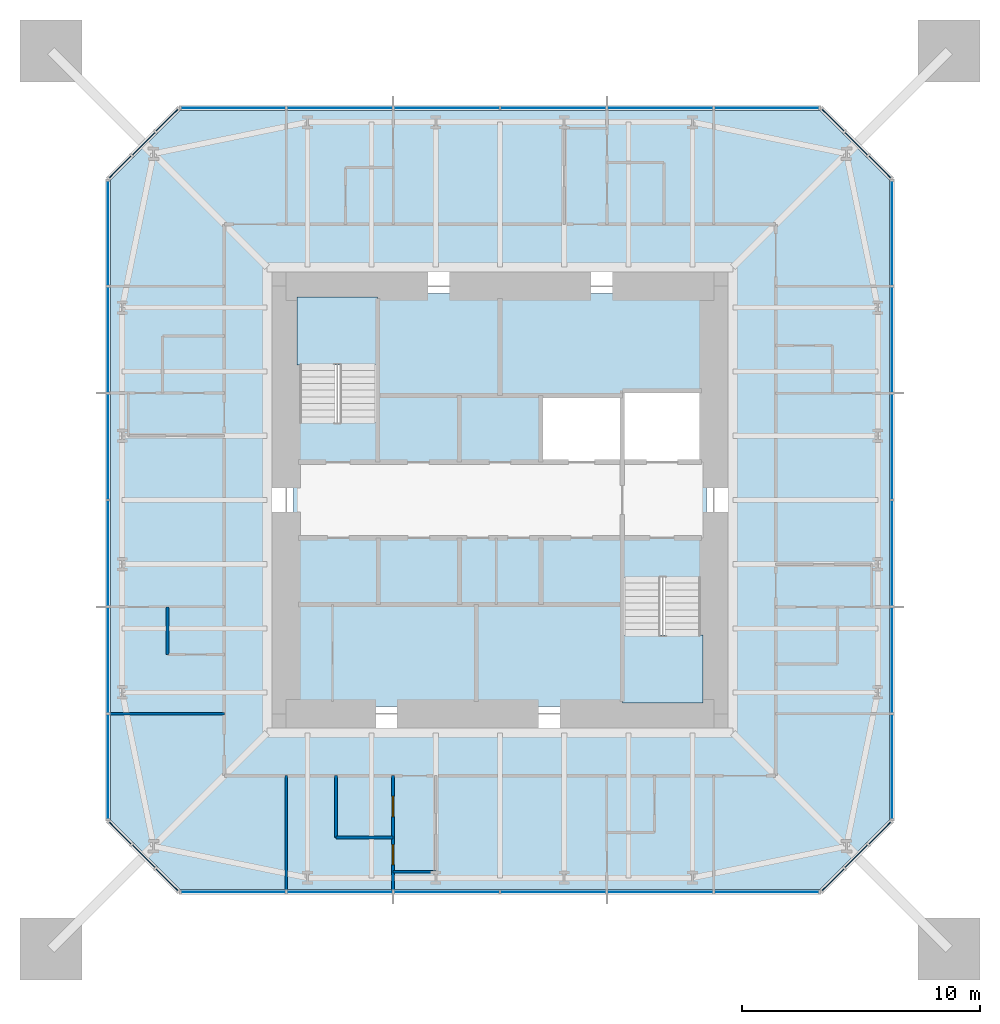
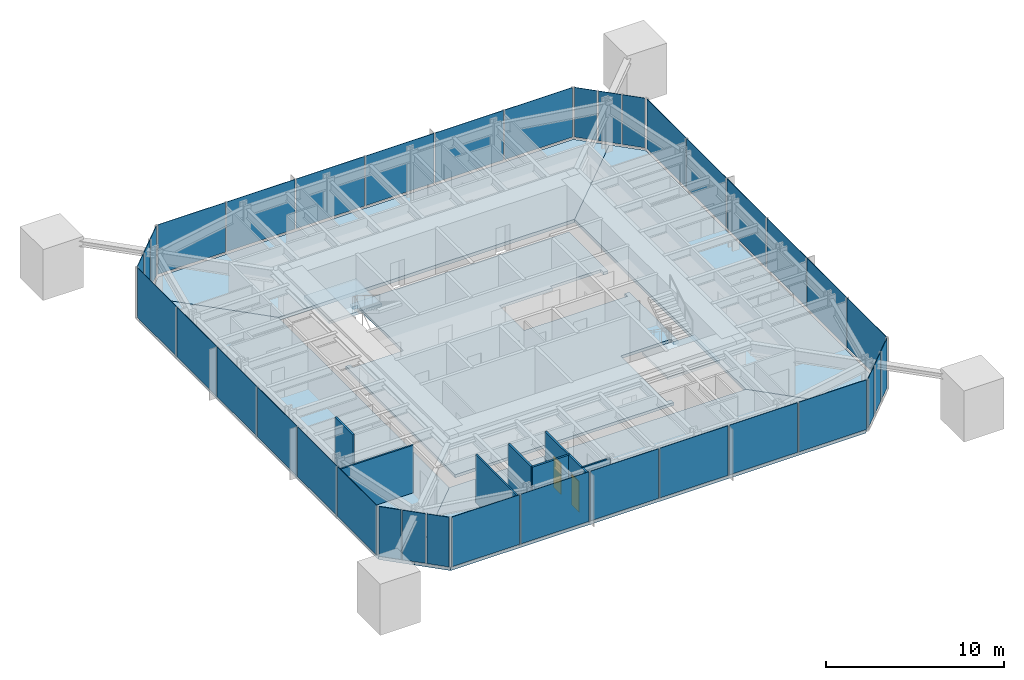
# One storey, part 5 of 9: 36 plates, 7 slabs, 7 walls, 2 doors, 2 openings, 10 elements without a shape of their own.
"""IFC4 building model written with IfcOpenShell, lengths in metres."""

import ifcopenshell
import ifcopenshell.guid

model = None  # the IFC model being written
_history = None  # IfcOwnerHistory: only IFC2X3 demands one
_inside = {}  # id of a spatial element -> (the spatial element, [elements in it])
_under = {}  # id of a project, library or spatial element -> (it, [spatial elements below it])
_declared = {}  # id of a project -> (the project, [libraries it declares])
_typed = {}  # id of a type object -> (the type object, [elements of that type])
_made_of = {}  # id of a material, layer set ... -> (it, [elements and type objects made of it])


def new_model(schema):
    """Start an empty IFC model of exactly this schema.

    Asked for "IFC4X3", IfcOpenShell would pick the latest addendum, in which some entities
    have other attributes; the version numbers below select the first issue.
    IFC2X3 requires an IfcOwnerHistory on every rooted entity: one is made here for all.
    """
    global model, _history
    if schema == "IFC4X3":
        model = ifcopenshell.file(schema_version=(4, 3, 0, 0))
    else:
        model = ifcopenshell.file(schema=schema)
    _inside.clear()
    _under.clear()
    _declared.clear()
    _typed.clear()
    _made_of.clear()
    _history = None
    if model.schema == "IFC2X3":
        org = make("IfcOrganization", Name="unknown")
        user = make(
            "IfcPersonAndOrganization",
            ThePerson=make("IfcPerson", FamilyName="unknown"),
            TheOrganization=org,
        )
        app = make(
            "IfcApplication",
            ApplicationDeveloper=org,
            Version="unknown",
            ApplicationFullName="unknown",
            ApplicationIdentifier="unknown",
        )
        _history = make(
            "IfcOwnerHistory",
            OwningUser=user,
            OwningApplication=app,
            ChangeAction="ADDED",
            CreationDate=0,
        )
    return model


def make(cls, **values):
    """One entity of the class cls with the attributes given. An attribute that is None is left unset."""
    return model.create_entity(
        cls, **{name: value for name, value in values.items() if value is not None}
    )


def rooted(cls, **values):
    """An entity with a GlobalId (a new one), such as an element, a storey or a relation."""
    return make(cls, GlobalId=ifcopenshell.guid.new(), OwnerHistory=_history, **values)


def si_unit(unit_type, name, prefix=None):
    """IfcSIUnit, for example si_unit("LENGTHUNIT", "METRE", prefix="MILLI")."""
    return make("IfcSIUnit", UnitType=unit_type, Prefix=prefix, Name=name)


def assignment(units):
    """IfcUnitAssignment: the units of a project."""
    return None if units is None else make("IfcUnitAssignment", Units=units)


def point(xyz):
    """IfcCartesianPoint."""
    return None if xyz is None else make("IfcCartesianPoint", Coordinates=xyz)


def direction(xyz):
    """IfcDirection."""
    return None if xyz is None else make("IfcDirection", DirectionRatios=xyz)


def frame(location, z_axis=None, x_axis=None):
    """IfcAxis2Placement3D, a coordinate frame: its origin and axes. An axis left out is left unset."""
    return make(
        "IfcAxis2Placement3D",
        Location=point(location),
        Axis=direction(z_axis),
        RefDirection=direction(x_axis),
    )


def frame_2d(location, x_axis=None):
    """IfcAxis2Placement2D, a coordinate frame in the plane: its origin and x axis."""
    return make(
        "IfcAxis2Placement2D", Location=point(location), RefDirection=direction(x_axis)
    )


def origin():
    """The frame at (0, 0, 0) with its axes left unset."""
    return frame((0.0, 0.0, 0.0))


def origin_2d():
    """The frame at (0, 0) in the plane with its x axis left unset."""
    return frame_2d((0.0, 0.0))


def place(relative_to, where):
    """IfcLocalPlacement: puts the frame where relative to a parent placement (None: the world)."""
    return make(
        "IfcLocalPlacement", PlacementRelTo=relative_to, RelativePlacement=where
    )


def context(
    kind, dimensions, precision=None, world=None, true_north=None, identifier=None
):
    """IfcGeometricRepresentationContext, for example the 3D "Model" context."""
    return make(
        "IfcGeometricRepresentationContext",
        ContextIdentifier=identifier,
        ContextType=kind,
        CoordinateSpaceDimension=dimensions,
        Precision=precision,
        WorldCoordinateSystem=world,
        TrueNorth=true_north,
    )


def subcontext(parent, identifier, kind, view, scale=None):
    """IfcGeometricRepresentationSubContext, for example "Body" below "Model"."""
    return make(
        "IfcGeometricRepresentationSubContext",
        ContextIdentifier=identifier,
        ContextType=kind,
        ParentContext=parent,
        TargetScale=scale,
        TargetView=view,
    )


def project(units=None, contexts=None):
    """IfcProject with its units and contexts."""
    return rooted(
        "IfcProject",
        Name="project",
        RepresentationContexts=contexts,
        UnitsInContext=assignment(units),
    )


def spatial(cls, under=None, at=None, **own):
    """A site, building, storey or space (cls), placed at a placement, below another one or the project."""
    s = rooted(cls, ObjectPlacement=at, **own)
    if under is not None:
        _under.setdefault(under.id(), (under, []))[1].append(s)
    return s


def polyline(points):
    """IfcPolyline through the points."""
    return make("IfcPolyline", Points=[point(p) for p in points])


def profile(cls, at=None, kind="AREA", **sizes):
    """A parametric profile (cls). Its sizes go by their IFC names, for example OverallWidth=200.0."""
    return make(cls, ProfileType=kind, Position=at, **sizes)


def rectangle(**sizes):
    """IfcRectangleProfileDef."""
    return profile("IfcRectangleProfileDef", **sizes)


def outline(outer, holes=None, kind="AREA"):
    """IfcArbitraryClosedProfileDef: a profile drawn as a closed curve; with holes, ...WithVoids."""
    if holes is None:
        return make("IfcArbitraryClosedProfileDef", ProfileType=kind, OuterCurve=outer)
    return make(
        "IfcArbitraryProfileDefWithVoids",
        ProfileType=kind,
        OuterCurve=outer,
        InnerCurves=holes,
    )


def extrude(swept, where, along, depth):
    """IfcExtrudedAreaSolid: the profile swept, set in the frame where, extruded along a direction by depth."""
    return make(
        "IfcExtrudedAreaSolid",
        SweptArea=swept,
        Position=where,
        ExtrudedDirection=direction(along),
        Depth=depth,
    )


def shape(context_of_items, identifier, shape_type, items):
    """IfcShapeRepresentation: the items that make up one representation, for example the "Body"."""
    return make(
        "IfcShapeRepresentation",
        ContextOfItems=context_of_items,
        RepresentationIdentifier=identifier,
        RepresentationType=shape_type,
        Items=items,
    )


def material(Name=None, Category=None):
    """IfcMaterial."""
    return make("IfcMaterial", Name=Name, Category=Category)


def layer(
    of_material, thickness, ventilated=None, Name=None, Category=None, Priority=None
):
    """IfcMaterialLayer: one layer of a wall or slab, of a material (None: an air gap)."""
    return make(
        "IfcMaterialLayer",
        Material=of_material,
        LayerThickness=thickness,
        IsVentilated=ventilated,
        Name=Name,
        Category=Category,
        Priority=Priority,
    )


def layer_set(layers, Name=None):
    """IfcMaterialLayerSet."""
    return make("IfcMaterialLayerSet", MaterialLayers=layers, LayerSetName=Name)


def constituent(of_material, Name=None, Category=None, fraction=None):
    """IfcMaterialConstituent: one of the materials an element consists of."""
    return make(
        "IfcMaterialConstituent",
        Name=Name,
        Material=of_material,
        Fraction=fraction,
        Category=Category,
    )


def constituent_set(constituents=None, Name=None):
    """IfcMaterialConstituentSet."""
    return make(
        "IfcMaterialConstituentSet", Name=Name, MaterialConstituents=constituents
    )


def made_of(thing, what):
    """Note that an element or type object is made of a material, layer set ...; save() writes the relation."""
    if what is not None:
        _made_of.setdefault(what.id(), (what, []))[1].append(thing)
    return thing


def type_object(cls, material=None, **own):
    """A type object (cls), such as IfcWallType, which elements share."""
    return made_of(rooted(cls, **own), material)


def element(
    cls,
    number,
    at=None,
    inside=None,
    cuts=None,
    type_object=None,
    material=None,
    context=None,
    identifier="Body",
    shape_type=None,
    held_by="IfcProductDefinitionShape",
    body=None,
    shapes=None,
    **own,
):
    """One element of the class cls, such as IfcWall. Its Tag is "e" and its number.

    at: its placement. inside: the storey or other place that contains it. cuts: it is an
    opening in that element (IfcRelVoidsElement). A single representation is given by context,
    identifier, shape_type and body (its items); several are given by shapes. held_by: the class
    of the entity that holds the representations. save() writes the other relations.
    """
    e = rooted(cls, Tag="e%d" % number, ObjectPlacement=at, **own)
    if body is not None:
        shapes = [shape(context, identifier, shape_type, body)]
    if shapes is not None:
        e.Representation = make(held_by, Representations=shapes)
    if inside is not None:
        _inside.setdefault(inside.id(), (inside, []))[1].append(e)
    if cuts is not None:
        rooted(
            "IfcRelVoidsElement", RelatingBuildingElement=cuts, RelatedOpeningElement=e
        )
    if type_object is not None:
        _typed.setdefault(type_object.id(), (type_object, []))[1].append(e)
    return made_of(e, material)


def fill(opening, filler):
    """IfcRelFillsElement: the door or window that sits in an opening."""
    return rooted(
        "IfcRelFillsElement",
        RelatingOpeningElement=opening,
        RelatedBuildingElement=filler,
    )


def aggregate(whole, parts):
    """IfcRelAggregates: a whole, such as a stair, and the parts it consists of."""
    return rooted("IfcRelAggregates", RelatingObject=whole, RelatedObjects=parts)


def save(model, path):
    """Write the relations noted so far, then the file.

    IfcRelAggregates (storeys below a building ...), IfcRelContainedInSpatialStructure (elements
    in a storey), IfcRelDefinesByType, IfcRelAssociatesMaterial and IfcRelDeclares: one each for
    every whole, place, type object, material and project.
    """
    for whole, parts in _under.values():
        aggregate(whole, parts)
    for where, things in _inside.values():
        rooted(
            "IfcRelContainedInSpatialStructure",
            RelatedElements=things,
            RelatingStructure=where,
        )
    for kind, things in _typed.values():
        rooted("IfcRelDefinesByType", RelatedObjects=things, RelatingType=kind)
    for what, things in _made_of.values():
        rooted("IfcRelAssociatesMaterial", RelatedObjects=things, RelatingMaterial=what)
    for by, libraries in _declared.values():
        rooted("IfcRelDeclares", RelatingContext=by, RelatedDefinitions=libraries)
    model.write(path)


model = new_model("IFC4")

# Units and contexts
model_context = context("Model", 3, precision=1e-05, world=origin(), true_north=direction((0.0, 1.0)))
body_context = subcontext(model_context, "Body", "Model", "MODEL_VIEW")
ifc_project = project(units=[si_unit("LENGTHUNIT", "METRE"), si_unit("AREAUNIT", "SQUARE_METRE"), si_unit("VOLUMEUNIT", "CUBIC_METRE"), si_unit("PLANEANGLEUNIT", "RADIAN"), si_unit("MASSUNIT", "GRAM", prefix="KILO")], contexts=[model_context])

# Site, building, storey
site_placement = place(None, origin())
site = spatial("IfcSite", under=ifc_project, at=site_placement, CompositionType="ELEMENT")
building_placement = place(site_placement, origin())
building = spatial("IfcBuilding", under=site, at=building_placement, Name="Iwan Alto Co-Living Towers", CompositionType="ELEMENT")
storey_placement = place(building_placement, frame((0.0, 0.0, 239.5)))
storey = spatial("IfcBuildingStorey", under=building, at=storey_placement, Name="L65", CompositionType="ELEMENT", Elevation=239.5)

# Slab
ifc_material_1 = material(Name="Concrete f'c 30 MPa", Category="concrete")
ifc_layer_1 = layer(ifc_material_1, 0.199951171875)
ifc_layer_set_1 = layer_set([ifc_layer_1], Name="CORE FLOOR SLAB 200")
slab_type_1 = type_object("IfcSlabType", Name="CORE FLOOR SLAB 200", PredefinedType="FLOOR", material=ifc_layer_set_1)
slab_1_placement = place(storey_placement, frame((0.0, 0.0, -0.199951171875)))
element("IfcSlab", 1, at=slab_1_placement, inside=storey, type_object=slab_type_1, Name="T1 core floor L65", PredefinedType="FLOOR", context=body_context, shape_type="SweptSolid", body=[
    extrude(outline(polyline([(-8.699951171875, 3.580078125), (-8.39990234375, 3.580078125), (-8.39990234375, 3.27001953125), (-5.14990234375, 3.27001953125), (-5.14990234375, 8.39990234375), (-5.4599609375, 8.39990234375), (-5.4599609375, 8.699951171875), (8.699951171875, 8.699951171875), (8.699951171875, 4.2900390625), (8.39990234375, 4.2900390625), (8.39990234375, 4.60009765625), (5.14990234375, 4.60009765625), (5.14990234375, 4.39990234375), (1.717041015625, 4.39990234375), (1.717041015625, 1.60009765625), (5.14990234375, 1.60009765625), (8.39990234375, 1.60009765625), (8.39990234375, 1.909912109375), (8.699951171875, 1.909912109375), (8.699951171875, -3.580078125), (8.39990234375, -3.580078125), (8.39990234375, -3.27001953125), (5.14990234375, -3.27001953125), (5.14990234375, -8.39990234375), (5.4599609375, -8.39990234375), (5.4599609375, -8.699951171875), (-8.699951171875, -8.699951171875), (-8.699951171875, 3.580078125)])), origin(), (0.0, 0.0, 1.0), 0.199951171875),
])

# Curtain wall, plates
ifc_material_2 = material(Name="Bronze aluminium unitised frame", Category="aluminium")
curtain_wall_type_1 = type_object("IfcCurtainWallType", Name="CURTAIN WALL CW-A", PredefinedType="NOTDEFINED", material=ifc_material_2)
curtain_wall_1_placement = place(storey_placement, origin())
curtain_wall_1 = element("IfcCurtainWall", 2, at=curtain_wall_1_placement, inside=storey, type_object=curtain_wall_type_1, Name="T1 curtain wall S L65", PredefinedType="NOTDEFINED")
ifc_material_3 = material(Name="Bronze-tinted insulating glass", Category="glass")
ifc_layer_2 = layer(ifc_material_3, 0.031982421875)
ifc_layer_set_2 = layer_set([ifc_layer_2], Name="CW-A PANEL TINTED IGU 32")
plate_type_1 = type_object("IfcPlateType", Name="CW-A PANEL TINTED IGU 32", PredefinedType="CURTAIN_PANEL", material=ifc_layer_set_2)
plate_1_placement = place(storey_placement, frame((-11.22998046875, -16.5, 0.10009765625), z_axis=(0.0, 0.0, 1.0), x_axis=(1.0, 0.0, 0.0)))
plate_1 = element("IfcPlate", 3, at=plate_1_placement, type_object=plate_type_1, Name="CW-A panel 1.1", PredefinedType="CURTAIN_PANEL", context=body_context, shape_type="SweptSolid", body=[
    extrude(rectangle(XDim=4.3798828125, YDim=0.031982421875, at=origin_2d()), origin(), (0.0, 0.0, 1.0), 3.39990234375),
])
plate_2_placement = place(storey_placement, frame((-6.75, -16.5, 0.10009765625), z_axis=(0.0, 0.0, 1.0), x_axis=(1.0, 0.0, 0.0)))
plate_2 = element("IfcPlate", 4, at=plate_2_placement, type_object=plate_type_1, Name="CW-A panel 2.1", PredefinedType="CURTAIN_PANEL", context=body_context, shape_type="SweptSolid", body=[
    extrude(rectangle(XDim=4.419921875, YDim=0.031982421875, at=origin_2d()), origin(), (0.0, 0.0, 1.0), 3.39990234375),
])
plate_3_placement = place(storey_placement, frame((-2.25, -16.5, 0.10009765625), z_axis=(0.0, 0.0, 1.0), x_axis=(1.0, 0.0, 0.0)))
plate_3 = element("IfcPlate", 5, at=plate_3_placement, type_object=plate_type_1, Name="CW-A panel 3.1", PredefinedType="CURTAIN_PANEL", context=body_context, shape_type="SweptSolid", body=[
    extrude(rectangle(XDim=4.419921875, YDim=0.031982421875, at=origin_2d()), origin(), (0.0, 0.0, 1.0), 3.39990234375),
])
plate_4_placement = place(storey_placement, frame((2.25, -16.5, 0.10009765625), z_axis=(0.0, 0.0, 1.0), x_axis=(1.0, 0.0, 0.0)))
plate_4 = element("IfcPlate", 6, at=plate_4_placement, type_object=plate_type_1, Name="CW-A panel 4.1", PredefinedType="CURTAIN_PANEL", context=body_context, shape_type="SweptSolid", body=[
    extrude(rectangle(XDim=4.419921875, YDim=0.031982421875, at=origin_2d()), origin(), (0.0, 0.0, 1.0), 3.39990234375),
])
plate_5_placement = place(storey_placement, frame((6.75, -16.5, 0.10009765625), z_axis=(0.0, 0.0, 1.0), x_axis=(1.0, 0.0, 0.0)))
plate_5 = element("IfcPlate", 7, at=plate_5_placement, type_object=plate_type_1, Name="CW-A panel 5.1", PredefinedType="CURTAIN_PANEL", context=body_context, shape_type="SweptSolid", body=[
    extrude(rectangle(XDim=4.419921875, YDim=0.031982421875, at=origin_2d()), origin(), (0.0, 0.0, 1.0), 3.39990234375),
])
plate_6_placement = place(storey_placement, frame((11.22998046875, -16.5, 0.10009765625), z_axis=(0.0, 0.0, 1.0), x_axis=(1.0, 0.0, 0.0)))
plate_6 = element("IfcPlate", 8, at=plate_6_placement, type_object=plate_type_1, Name="CW-A panel 6.1", PredefinedType="CURTAIN_PANEL", context=body_context, shape_type="SweptSolid", body=[
    extrude(rectangle(XDim=4.3798828125, YDim=0.031982421875, at=origin_2d()), origin(), (0.0, 0.0, 1.0), 3.39990234375),
])
aggregate(curtain_wall_1, [plate_1, plate_2, plate_3, plate_4, plate_5, plate_6])

curtain_wall_2_placement = place(storey_placement, origin())
curtain_wall_2 = element("IfcCurtainWall", 9, at=curtain_wall_2_placement, inside=storey, type_object=curtain_wall_type_1, Name="T1 curtain wall E L65", PredefinedType="NOTDEFINED")
plate_7_placement = place(storey_placement, frame((16.5, -11.22998046875, 0.10009765625), z_axis=(0.0, 0.0, 1.0), x_axis=(0.0, 1.0, 0.0)))
plate_7 = element("IfcPlate", 10, at=plate_7_placement, type_object=plate_type_1, Name="CW-A panel 1.1", PredefinedType="CURTAIN_PANEL", context=body_context, shape_type="SweptSolid", body=[
    extrude(rectangle(XDim=4.3798828125, YDim=0.031982421875, at=origin_2d()), origin(), (0.0, 0.0, 1.0), 3.39990234375),
])
plate_8_placement = place(storey_placement, frame((16.5, -6.75, 0.10009765625), z_axis=(0.0, 0.0, 1.0), x_axis=(0.0, 1.0, 0.0)))
plate_8 = element("IfcPlate", 11, at=plate_8_placement, type_object=plate_type_1, Name="CW-A panel 2.1", PredefinedType="CURTAIN_PANEL", context=body_context, shape_type="SweptSolid", body=[
    extrude(rectangle(XDim=4.419921875, YDim=0.031982421875, at=origin_2d()), origin(), (0.0, 0.0, 1.0), 3.39990234375),
])
plate_9_placement = place(storey_placement, frame((16.5, -2.25, 0.10009765625), z_axis=(0.0, 0.0, 1.0), x_axis=(0.0, 1.0, 0.0)))
plate_9 = element("IfcPlate", 12, at=plate_9_placement, type_object=plate_type_1, Name="CW-A panel 3.1", PredefinedType="CURTAIN_PANEL", context=body_context, shape_type="SweptSolid", body=[
    extrude(rectangle(XDim=4.419921875, YDim=0.031982421875, at=origin_2d()), origin(), (0.0, 0.0, 1.0), 3.39990234375),
])
plate_10_placement = place(storey_placement, frame((16.5, 2.25, 0.10009765625), z_axis=(0.0, 0.0, 1.0), x_axis=(0.0, 1.0, 0.0)))
plate_10 = element("IfcPlate", 13, at=plate_10_placement, type_object=plate_type_1, Name="CW-A panel 4.1", PredefinedType="CURTAIN_PANEL", context=body_context, shape_type="SweptSolid", body=[
    extrude(rectangle(XDim=4.419921875, YDim=0.031982421875, at=origin_2d()), origin(), (0.0, 0.0, 1.0), 3.39990234375),
])
plate_11_placement = place(storey_placement, frame((16.5, 6.75, 0.10009765625), z_axis=(0.0, 0.0, 1.0), x_axis=(0.0, 1.0, 0.0)))
plate_11 = element("IfcPlate", 14, at=plate_11_placement, type_object=plate_type_1, Name="CW-A panel 5.1", PredefinedType="CURTAIN_PANEL", context=body_context, shape_type="SweptSolid", body=[
    extrude(rectangle(XDim=4.419921875, YDim=0.031982421875, at=origin_2d()), origin(), (0.0, 0.0, 1.0), 3.39990234375),
])
plate_12_placement = place(storey_placement, frame((16.5, 11.22998046875, 0.10009765625), z_axis=(0.0, 0.0, 1.0), x_axis=(0.0, 1.0, 0.0)))
plate_12 = element("IfcPlate", 15, at=plate_12_placement, type_object=plate_type_1, Name="CW-A panel 6.1", PredefinedType="CURTAIN_PANEL", context=body_context, shape_type="SweptSolid", body=[
    extrude(rectangle(XDim=4.3798828125, YDim=0.031982421875, at=origin_2d()), origin(), (0.0, 0.0, 1.0), 3.39990234375),
])
aggregate(curtain_wall_2, [plate_7, plate_8, plate_9, plate_10, plate_11, plate_12])

curtain_wall_3_placement = place(storey_placement, origin())
curtain_wall_3 = element("IfcCurtainWall", 16, at=curtain_wall_3_placement, inside=storey, type_object=curtain_wall_type_1, Name="T1 curtain wall N L65", PredefinedType="NOTDEFINED")
plate_13_placement = place(storey_placement, frame((11.22998046875, 16.5, 0.10009765625), z_axis=(0.0, 0.0, 1.0), x_axis=(-1.0, 0.0, 0.0)))
plate_13 = element("IfcPlate", 17, at=plate_13_placement, type_object=plate_type_1, Name="CW-A panel 1.1", PredefinedType="CURTAIN_PANEL", context=body_context, shape_type="SweptSolid", body=[
    extrude(rectangle(XDim=4.3798828125, YDim=0.031982421875, at=origin_2d()), origin(), (0.0, 0.0, 1.0), 3.39990234375),
])
plate_14_placement = place(storey_placement, frame((6.75, 16.5, 0.10009765625), z_axis=(0.0, 0.0, 1.0), x_axis=(-1.0, 0.0, 0.0)))
plate_14 = element("IfcPlate", 18, at=plate_14_placement, type_object=plate_type_1, Name="CW-A panel 2.1", PredefinedType="CURTAIN_PANEL", context=body_context, shape_type="SweptSolid", body=[
    extrude(rectangle(XDim=4.419921875, YDim=0.031982421875, at=origin_2d()), origin(), (0.0, 0.0, 1.0), 3.39990234375),
])
plate_15_placement = place(storey_placement, frame((2.25, 16.5, 0.10009765625), z_axis=(0.0, 0.0, 1.0), x_axis=(-1.0, 0.0, 0.0)))
plate_15 = element("IfcPlate", 19, at=plate_15_placement, type_object=plate_type_1, Name="CW-A panel 3.1", PredefinedType="CURTAIN_PANEL", context=body_context, shape_type="SweptSolid", body=[
    extrude(rectangle(XDim=4.419921875, YDim=0.031982421875, at=origin_2d()), origin(), (0.0, 0.0, 1.0), 3.39990234375),
])
plate_16_placement = place(storey_placement, frame((-2.25, 16.5, 0.10009765625), z_axis=(0.0, 0.0, 1.0), x_axis=(-1.0, 0.0, 0.0)))
plate_16 = element("IfcPlate", 20, at=plate_16_placement, type_object=plate_type_1, Name="CW-A panel 4.1", PredefinedType="CURTAIN_PANEL", context=body_context, shape_type="SweptSolid", body=[
    extrude(rectangle(XDim=4.419921875, YDim=0.031982421875, at=origin_2d()), origin(), (0.0, 0.0, 1.0), 3.39990234375),
])
plate_17_placement = place(storey_placement, frame((-6.75, 16.5, 0.10009765625), z_axis=(0.0, 0.0, 1.0), x_axis=(-1.0, 0.0, 0.0)))
plate_17 = element("IfcPlate", 21, at=plate_17_placement, type_object=plate_type_1, Name="CW-A panel 5.1", PredefinedType="CURTAIN_PANEL", context=body_context, shape_type="SweptSolid", body=[
    extrude(rectangle(XDim=4.419921875, YDim=0.031982421875, at=origin_2d()), origin(), (0.0, 0.0, 1.0), 3.39990234375),
])
plate_18_placement = place(storey_placement, frame((-11.22998046875, 16.5, 0.10009765625), z_axis=(0.0, 0.0, 1.0), x_axis=(-1.0, 0.0, 0.0)))
plate_18 = element("IfcPlate", 22, at=plate_18_placement, type_object=plate_type_1, Name="CW-A panel 6.1", PredefinedType="CURTAIN_PANEL", context=body_context, shape_type="SweptSolid", body=[
    extrude(rectangle(XDim=4.3798828125, YDim=0.031982421875, at=origin_2d()), origin(), (0.0, 0.0, 1.0), 3.39990234375),
])
aggregate(curtain_wall_3, [plate_13, plate_14, plate_15, plate_16, plate_17, plate_18])

curtain_wall_4_placement = place(storey_placement, origin())
curtain_wall_4 = element("IfcCurtainWall", 23, at=curtain_wall_4_placement, inside=storey, type_object=curtain_wall_type_1, Name="T1 curtain wall W L65", PredefinedType="NOTDEFINED")
plate_19_placement = place(storey_placement, frame((-16.5, 11.22998046875, 0.10009765625), z_axis=(0.0, 0.0, 1.0), x_axis=(0.0, -1.0, 0.0)))
plate_19 = element("IfcPlate", 24, at=plate_19_placement, type_object=plate_type_1, Name="CW-A panel 1.1", PredefinedType="CURTAIN_PANEL", context=body_context, shape_type="SweptSolid", body=[
    extrude(rectangle(XDim=4.3798828125, YDim=0.031982421875, at=origin_2d()), origin(), (0.0, 0.0, 1.0), 3.39990234375),
])
plate_20_placement = place(storey_placement, frame((-16.5, 6.75, 0.10009765625), z_axis=(0.0, 0.0, 1.0), x_axis=(0.0, -1.0, 0.0)))
plate_20 = element("IfcPlate", 25, at=plate_20_placement, type_object=plate_type_1, Name="CW-A panel 2.1", PredefinedType="CURTAIN_PANEL", context=body_context, shape_type="SweptSolid", body=[
    extrude(rectangle(XDim=4.419921875, YDim=0.031982421875, at=origin_2d()), origin(), (0.0, 0.0, 1.0), 3.39990234375),
])
plate_21_placement = place(storey_placement, frame((-16.5, 2.25, 0.10009765625), z_axis=(0.0, 0.0, 1.0), x_axis=(0.0, -1.0, 0.0)))
plate_21 = element("IfcPlate", 26, at=plate_21_placement, type_object=plate_type_1, Name="CW-A panel 3.1", PredefinedType="CURTAIN_PANEL", context=body_context, shape_type="SweptSolid", body=[
    extrude(rectangle(XDim=4.419921875, YDim=0.031982421875, at=origin_2d()), origin(), (0.0, 0.0, 1.0), 3.39990234375),
])
plate_22_placement = place(storey_placement, frame((-16.5, -2.25, 0.10009765625), z_axis=(0.0, 0.0, 1.0), x_axis=(0.0, -1.0, 0.0)))
plate_22 = element("IfcPlate", 27, at=plate_22_placement, type_object=plate_type_1, Name="CW-A panel 4.1", PredefinedType="CURTAIN_PANEL", context=body_context, shape_type="SweptSolid", body=[
    extrude(rectangle(XDim=4.419921875, YDim=0.031982421875, at=origin_2d()), origin(), (0.0, 0.0, 1.0), 3.39990234375),
])
plate_23_placement = place(storey_placement, frame((-16.5, -6.75, 0.10009765625), z_axis=(0.0, 0.0, 1.0), x_axis=(0.0, -1.0, 0.0)))
plate_23 = element("IfcPlate", 28, at=plate_23_placement, type_object=plate_type_1, Name="CW-A panel 5.1", PredefinedType="CURTAIN_PANEL", context=body_context, shape_type="SweptSolid", body=[
    extrude(rectangle(XDim=4.419921875, YDim=0.031982421875, at=origin_2d()), origin(), (0.0, 0.0, 1.0), 3.39990234375),
])
plate_24_placement = place(storey_placement, frame((-16.5, -11.22998046875, 0.10009765625), z_axis=(0.0, 0.0, 1.0), x_axis=(0.0, -1.0, 0.0)))
plate_24 = element("IfcPlate", 29, at=plate_24_placement, type_object=plate_type_1, Name="CW-A panel 6.1", PredefinedType="CURTAIN_PANEL", context=body_context, shape_type="SweptSolid", body=[
    extrude(rectangle(XDim=4.3798828125, YDim=0.031982421875, at=origin_2d()), origin(), (0.0, 0.0, 1.0), 3.39990234375),
])
aggregate(curtain_wall_4, [plate_19, plate_20, plate_21, plate_22, plate_23, plate_24])

ifc_material_4 = material(Name="Bronze aluminium unitised frame", Category="aluminium")
curtain_wall_type_2 = type_object("IfcCurtainWallType", Name="CURTAIN WALL CW-B", PredefinedType="NOTDEFINED", material=ifc_material_4)
curtain_wall_5_placement = place(storey_placement, origin())
curtain_wall_5 = element("IfcCurtainWall", 30, at=curtain_wall_5_placement, inside=storey, type_object=curtain_wall_type_2, Name="T1 chamfer curtain wall SE L65", PredefinedType="NOTDEFINED")
ifc_material_5 = material(Name="Bronze-tinted insulating glass", Category="glass")
ifc_layer_3 = layer(ifc_material_5, 0.031982421875)
ifc_layer_set_3 = layer_set([ifc_layer_3], Name="CW-B PANEL TINTED IGU 32")
plate_type_2 = type_object("IfcPlateType", Name="CW-B PANEL TINTED IGU 32", PredefinedType="CURTAIN_PANEL", material=ifc_layer_set_3)
plate_25_placement = place(storey_placement, frame((14.01416015625, -15.98583984375, 0.10009765625), z_axis=(0.0, 0.0, 1.0), x_axis=(0.707106781187, 0.707106781187, 0.0)))
plate_25 = element("IfcPlate", 31, at=plate_25_placement, type_object=plate_type_2, Name="CW-B panel 1.1", PredefinedType="CURTAIN_PANEL", context=body_context, shape_type="SweptSolid", body=[
    extrude(rectangle(XDim=1.294189453125, YDim=0.031982421875, at=origin_2d()), origin(), (0.0, 0.0, 1.0), 3.39990234375),
])
plate_26_placement = place(storey_placement, frame((15.0, -15.0, 0.10009765625), z_axis=(0.0, 0.0, 1.0), x_axis=(0.707106781187, 0.707106781187, 0.0)))
plate_26 = element("IfcPlate", 32, at=plate_26_placement, type_object=plate_type_2, Name="CW-B panel 2.1", PredefinedType="CURTAIN_PANEL", context=body_context, shape_type="SweptSolid", body=[
    extrude(rectangle(XDim=1.334228515625, YDim=0.031982421875, at=origin_2d()), origin(), (0.0, 0.0, 1.0), 3.39990234375),
])
plate_27_placement = place(storey_placement, frame((15.98583984375, -14.01416015625, 0.10009765625), z_axis=(0.0, 0.0, 1.0), x_axis=(0.707106781187, 0.707106781187, 0.0)))
plate_27 = element("IfcPlate", 33, at=plate_27_placement, type_object=plate_type_2, Name="CW-B panel 3.1", PredefinedType="CURTAIN_PANEL", context=body_context, shape_type="SweptSolid", body=[
    extrude(rectangle(XDim=1.294189453125, YDim=0.031982421875, at=origin_2d()), origin(), (0.0, 0.0, 1.0), 3.39990234375),
])
aggregate(curtain_wall_5, [plate_25, plate_26, plate_27])

curtain_wall_6_placement = place(storey_placement, origin())
curtain_wall_6 = element("IfcCurtainWall", 34, at=curtain_wall_6_placement, inside=storey, type_object=curtain_wall_type_2, Name="T1 chamfer curtain wall NE L65", PredefinedType="NOTDEFINED")
plate_28_placement = place(storey_placement, frame((15.98583984375, 14.01416015625, 0.10009765625), z_axis=(0.0, 0.0, 1.0), x_axis=(-0.707106781187, 0.707106781187, 0.0)))
plate_28 = element("IfcPlate", 35, at=plate_28_placement, type_object=plate_type_2, Name="CW-B panel 1.1", PredefinedType="CURTAIN_PANEL", context=body_context, shape_type="SweptSolid", body=[
    extrude(rectangle(XDim=1.294189453125, YDim=0.031982421875, at=origin_2d()), origin(), (0.0, 0.0, 1.0), 3.39990234375),
])
plate_29_placement = place(storey_placement, frame((15.0, 15.0, 0.10009765625), z_axis=(0.0, 0.0, 1.0), x_axis=(-0.707106781187, 0.707106781187, 0.0)))
plate_29 = element("IfcPlate", 36, at=plate_29_placement, type_object=plate_type_2, Name="CW-B panel 2.1", PredefinedType="CURTAIN_PANEL", context=body_context, shape_type="SweptSolid", body=[
    extrude(rectangle(XDim=1.334228515625, YDim=0.031982421875, at=origin_2d()), origin(), (0.0, 0.0, 1.0), 3.39990234375),
])
plate_30_placement = place(storey_placement, frame((14.01416015625, 15.98583984375, 0.10009765625), z_axis=(0.0, 0.0, 1.0), x_axis=(-0.707106781187, 0.707106781187, 0.0)))
plate_30 = element("IfcPlate", 37, at=plate_30_placement, type_object=plate_type_2, Name="CW-B panel 3.1", PredefinedType="CURTAIN_PANEL", context=body_context, shape_type="SweptSolid", body=[
    extrude(rectangle(XDim=1.294189453125, YDim=0.031982421875, at=origin_2d()), origin(), (0.0, 0.0, 1.0), 3.39990234375),
])
aggregate(curtain_wall_6, [plate_28, plate_29, plate_30])

curtain_wall_7_placement = place(storey_placement, origin())
curtain_wall_7 = element("IfcCurtainWall", 38, at=curtain_wall_7_placement, inside=storey, type_object=curtain_wall_type_2, Name="T1 chamfer curtain wall NW L65", PredefinedType="NOTDEFINED")
plate_31_placement = place(storey_placement, frame((-14.01416015625, 15.98583984375, 0.10009765625), z_axis=(0.0, 0.0, 1.0), x_axis=(-0.707106781187, -0.707106781187, 0.0)))
plate_31 = element("IfcPlate", 39, at=plate_31_placement, type_object=plate_type_2, Name="CW-B panel 1.1", PredefinedType="CURTAIN_PANEL", context=body_context, shape_type="SweptSolid", body=[
    extrude(rectangle(XDim=1.294189453125, YDim=0.031982421875, at=origin_2d()), origin(), (0.0, 0.0, 1.0), 3.39990234375),
])
plate_32_placement = place(storey_placement, frame((-15.0, 15.0, 0.10009765625), z_axis=(0.0, 0.0, 1.0), x_axis=(-0.707106781187, -0.707106781187, 0.0)))
plate_32 = element("IfcPlate", 40, at=plate_32_placement, type_object=plate_type_2, Name="CW-B panel 2.1", PredefinedType="CURTAIN_PANEL", context=body_context, shape_type="SweptSolid", body=[
    extrude(rectangle(XDim=1.334228515625, YDim=0.031982421875, at=origin_2d()), origin(), (0.0, 0.0, 1.0), 3.39990234375),
])
plate_33_placement = place(storey_placement, frame((-15.98583984375, 14.01416015625, 0.10009765625), z_axis=(0.0, 0.0, 1.0), x_axis=(-0.707106781187, -0.707106781187, 0.0)))
plate_33 = element("IfcPlate", 41, at=plate_33_placement, type_object=plate_type_2, Name="CW-B panel 3.1", PredefinedType="CURTAIN_PANEL", context=body_context, shape_type="SweptSolid", body=[
    extrude(rectangle(XDim=1.294189453125, YDim=0.031982421875, at=origin_2d()), origin(), (0.0, 0.0, 1.0), 3.39990234375),
])
aggregate(curtain_wall_7, [plate_31, plate_32, plate_33])

curtain_wall_8_placement = place(storey_placement, origin())
curtain_wall_8 = element("IfcCurtainWall", 42, at=curtain_wall_8_placement, inside=storey, type_object=curtain_wall_type_2, Name="T1 chamfer curtain wall SW L65", PredefinedType="NOTDEFINED")
plate_34_placement = place(storey_placement, frame((-15.98583984375, -14.01416015625, 0.10009765625), z_axis=(0.0, 0.0, 1.0), x_axis=(0.707106781187, -0.707106781187, 0.0)))
plate_34 = element("IfcPlate", 43, at=plate_34_placement, type_object=plate_type_2, Name="CW-B panel 1.1", PredefinedType="CURTAIN_PANEL", context=body_context, shape_type="SweptSolid", body=[
    extrude(rectangle(XDim=1.294189453125, YDim=0.031982421875, at=origin_2d()), origin(), (0.0, 0.0, 1.0), 3.39990234375),
])
plate_35_placement = place(storey_placement, frame((-15.0, -15.0, 0.10009765625), z_axis=(0.0, 0.0, 1.0), x_axis=(0.707106781187, -0.707106781187, 0.0)))
plate_35 = element("IfcPlate", 44, at=plate_35_placement, type_object=plate_type_2, Name="CW-B panel 2.1", PredefinedType="CURTAIN_PANEL", context=body_context, shape_type="SweptSolid", body=[
    extrude(rectangle(XDim=1.334228515625, YDim=0.031982421875, at=origin_2d()), origin(), (0.0, 0.0, 1.0), 3.39990234375),
])
plate_36_placement = place(storey_placement, frame((-14.01416015625, -15.98583984375, 0.10009765625), z_axis=(0.0, 0.0, 1.0), x_axis=(0.707106781187, -0.707106781187, 0.0)))
plate_36 = element("IfcPlate", 45, at=plate_36_placement, type_object=plate_type_2, Name="CW-B panel 3.1", PredefinedType="CURTAIN_PANEL", context=body_context, shape_type="SweptSolid", body=[
    extrude(rectangle(XDim=1.294189453125, YDim=0.031982421875, at=origin_2d()), origin(), (0.0, 0.0, 1.0), 3.39990234375),
])
aggregate(curtain_wall_8, [plate_34, plate_35, plate_36])

# Stair, slab
ifc_material_6 = material(Name="Steel ASTM A36", Category="steel")
ifc_constituent_1 = constituent(ifc_material_6, Name="Stringers", Category="LoadBearing")
ifc_material_7 = material(Name="Concrete f'c 30 MPa", Category="concrete")
ifc_constituent_2 = constituent(ifc_material_7, Name="Tread fill", Category="Finish")
ifc_constituent_set = constituent_set(constituents=[ifc_constituent_1, ifc_constituent_2], Name="STAIR 3500 TWO-FLIGHT T1 CORE")
stair_type = type_object("IfcStairType", Name="STAIR 3500 TWO-FLIGHT T1 CORE", PredefinedType="HALF_TURN_STAIR", material=ifc_constituent_set)
stair_1_placement = place(storey_placement, origin())
stair_1 = element("IfcStair", 46, at=stair_1_placement, inside=storey, type_object=stair_type, Name="Stair T1-S1 L65 to L66", PredefinedType="HALF_TURN_STAIR")
ifc_material_8 = material(Name="Concrete f'c 30 MPa", Category="concrete")
ifc_layer_4 = layer(ifc_material_8, 0.199951171875)
ifc_layer_set_4 = layer_set([ifc_layer_4], Name="STAIR LANDING 200")
slab_type_2 = type_object("IfcSlabType", Name="STAIR LANDING 200", PredefinedType="LANDING", material=ifc_layer_set_4)
slab_2_placement = place(storey_placement, frame((0.0, 0.0, 1.550048828125)))
slab_2 = element("IfcSlab", 47, at=slab_2_placement, type_object=slab_type_2, Name="T1-S1 landing 1", PredefinedType="LANDING", context=body_context, shape_type="SweptSolid", body=[
    extrude(outline(polyline([(-8.550048828125, 5.68994140625), (-8.550048828125, 8.550048828125), (-5.14990234375, 8.550048828125), (-5.14990234375, 5.68994140625), (-8.550048828125, 5.68994140625)])), origin(), (0.0, 0.0, 1.0), 0.199951171875),
])
aggregate(stair_1, [slab_2])

stair_2_placement = place(storey_placement, origin())
stair_2 = element("IfcStair", 48, at=stair_2_placement, inside=storey, type_object=stair_type, Name="Stair T1-S2 L65 to L66", PredefinedType="HALF_TURN_STAIR")
slab_3_placement = place(storey_placement, frame((0.0, 0.0, 1.550048828125)))
slab_3 = element("IfcSlab", 49, at=slab_3_placement, type_object=slab_type_2, Name="T1-S2 landing 1", PredefinedType="LANDING", context=body_context, shape_type="SweptSolid", body=[
    extrude(outline(polyline([(5.14990234375, -5.68994140625), (5.14990234375, -8.550048828125), (8.550048828125, -8.550048828125), (8.550048828125, -5.68994140625), (5.14990234375, -5.68994140625)])), origin(), (0.0, 0.0, 1.0), 0.199951171875),
])
aggregate(stair_2, [slab_3])

# Slabs
ifc_material_9 = material(Name="Concrete f'c 30 MPa", Category="concrete")
ifc_layer_5 = layer(ifc_material_9, 0.22998046875)
ifc_layer_set_5 = layer_set([ifc_layer_5], Name="T1 FLOOR SLAB 230")
slab_type_3 = type_object("IfcSlabType", Name="T1 FLOOR SLAB 230", PredefinedType="FLOOR", material=ifc_layer_set_5)
slab_4_placement = place(storey_placement, frame((0.0, 0.0, -0.22998046875)))
element("IfcSlab", 50, at=slab_4_placement, inside=storey, type_object=slab_type_3, Name="T1 floor slab L65 S pour", PredefinedType="FLOOR", context=body_context, shape_type="SweptSolid", body=[
    extrude(outline(polyline([(13.44140625, -16.39990234375), (-13.44140625, -16.39990234375), (-14.920654296875, -14.920654296875), (-9.60009765625, -9.60009765625), (9.60009765625, -9.60009765625), (14.920654296875, -14.920654296875), (13.44140625, -16.39990234375)])), origin(), (0.0, 0.0, 1.0), 0.22998046875),
])
slab_5_placement = place(storey_placement, frame((0.0, 0.0, -0.22998046875)))
element("IfcSlab", 51, at=slab_5_placement, inside=storey, type_object=slab_type_3, Name="T1 floor slab L65 E pour", PredefinedType="FLOOR", context=body_context, shape_type="SweptSolid", body=[
    extrude(outline(polyline([(16.39990234375, 13.44140625), (16.39990234375, -13.44140625), (14.920654296875, -14.920654296875), (9.60009765625, -9.60009765625), (9.60009765625, 9.60009765625), (14.920654296875, 14.920654296875), (16.39990234375, 13.44140625)])), origin(), (0.0, 0.0, 1.0), 0.22998046875),
])
slab_6_placement = place(storey_placement, frame((0.0, 0.0, -0.22998046875)))
element("IfcSlab", 52, at=slab_6_placement, inside=storey, type_object=slab_type_3, Name="T1 floor slab L65 N pour", PredefinedType="FLOOR", context=body_context, shape_type="SweptSolid", body=[
    extrude(outline(polyline([(-13.44140625, 16.39990234375), (13.44140625, 16.39990234375), (14.920654296875, 14.920654296875), (9.60009765625, 9.60009765625), (-9.60009765625, 9.60009765625), (-14.920654296875, 14.920654296875), (-13.44140625, 16.39990234375)])), origin(), (0.0, 0.0, 1.0), 0.22998046875),
])
slab_7_placement = place(storey_placement, frame((0.0, 0.0, -0.22998046875)))
element("IfcSlab", 53, at=slab_7_placement, inside=storey, type_object=slab_type_3, Name="T1 floor slab L65 W pour", PredefinedType="FLOOR", context=body_context, shape_type="SweptSolid", body=[
    extrude(outline(polyline([(-16.39990234375, 13.44140625), (-14.920654296875, 14.920654296875), (-9.60009765625, 9.60009765625), (-9.60009765625, -9.60009765625), (-14.920654296875, -14.920654296875), (-16.39990234375, -13.44140625), (-16.39990234375, 13.44140625)])), origin(), (0.0, 0.0, 1.0), 0.22998046875),
])

# Walls
ifc_material_10 = material(Name="Gypsum board")
ifc_layer_6 = layer(ifc_material_10, 0.012451171875, Name="Board", Category="Finish")
ifc_material_11 = material(Name="Steel ASTM A1003 ST33H cold-formed studs", Category="steel")
ifc_layer_7 = layer(ifc_material_11, 0.074951171875, Name="Studs", Category="Framing")
ifc_layer_8 = layer(ifc_material_10, 0.012451171875, Name="Board", Category="Finish")
ifc_layer_set_6 = layer_set([ifc_layer_6, ifc_layer_7, ifc_layer_8], Name="PARTITION 100")
wall_type_1 = type_object("IfcWallType", Name="PARTITION 100", PredefinedType="PARTITIONING", material=ifc_layer_set_6)
wall_1_placement = place(storey_placement, frame((-4.5, -15.64990234375, 0.0), z_axis=(0.0, 0.0, 1.0), x_axis=(1.0, 0.0, 0.0)))
element("IfcWall", 54, at=wall_1_placement, inside=storey, type_object=wall_type_1, Name="Partition L65", PredefinedType="PARTITIONING", context=body_context, shape_type="SweptSolid", body=[
    extrude(rectangle(XDim=1.800048828125, YDim=0.10009765625, at=frame_2d((0.89990234375, 0.0))), origin(), (0.0, 0.0, 1.0), 3.27001953125),
])
for number, where, z_axis, x_axis, name in (
    (55, (-16.43994140625, -9.0, 0.0), (0.0, 0.0, 1.0), (1.0, 0.0, 0.0), "Partition L65"),
    (56, (-9.0, -16.43994140625, 0.0), (0.0, 0.0, 1.0), (0.0, 1.0, 0.0), "Partition L65"),
):
    element("IfcWall", number, at=place(storey_placement, frame(where, z_axis=z_axis, x_axis=x_axis)), inside=storey, type_object=wall_type_1, Name=name, PredefinedType="PARTITIONING", context=body_context, shape_type="SweptSolid", body=[
        extrude(rectangle(XDim=4.83984375, YDim=0.10009765625, at=frame_2d((2.419921875, 0.0))), origin(), (0.0, 0.0, 1.0), 3.27001953125),
    ])
ifc_material_12 = material(Name="Cement board")
ifc_layer_9 = layer(ifc_material_12, 0.012451171875, Name="Board", Category="Finish")
ifc_layer_10 = layer(ifc_material_11, 0.094970703125, Name="Studs", Category="Framing")
ifc_layer_11 = layer(ifc_material_12, 0.012451171875, Name="Board", Category="Finish")
ifc_layer_set_7 = layer_set([ifc_layer_9, ifc_layer_10, ifc_layer_11], Name="WET AREA PARTITION 120")
wall_type_2 = type_object("IfcWallType", Name="WET AREA PARTITION 120", PredefinedType="PARTITIONING", material=ifc_layer_set_7)
wall_2_placement = place(storey_placement, frame((-6.89990234375, -14.199951171875, 0.0), z_axis=(0.0, 0.0, 1.0), x_axis=(1.0, 0.0, 0.0)))
element("IfcWall", 57, at=wall_2_placement, inside=storey, type_object=wall_type_2, Name="Partition L65", PredefinedType="PARTITIONING", context=body_context, shape_type="SweptSolid", body=[
    extrude(rectangle(XDim=2.39990234375, YDim=0.1201171875, at=frame_2d((1.199951171875, 0.0))), origin(), (0.0, 0.0, 1.0), 3.27001953125),
])

# Wall, openings, doors
wall_3_placement = place(storey_placement, frame((-4.5, -16.43994140625, 0.0), z_axis=(0.0, 0.0, 1.0), x_axis=(0.0, 1.0, 0.0)))
wall_3 = element("IfcWall", 58, at=wall_3_placement, inside=storey, type_object=wall_type_2, Name="Partition L65", PredefinedType="PARTITIONING", context=body_context, shape_type="SweptSolid", body=[
    extrude(rectangle(XDim=4.83984375, YDim=0.1201171875, at=frame_2d((2.419921875, 0.0))), origin(), (0.0, 0.0, 1.0), 3.27001953125),
])
opening_1_placement = place(wall_3_placement, frame((1.090087890625, 0.0, 0.0)))
opening_1 = element("IfcOpeningElement", 59, at=opening_1_placement, cuts=wall_3, Name="Opening D2", PredefinedType="OPENING", context=body_context, shape_type="SweptSolid", body=[
    extrude(rectangle(XDim=0.85009765625, YDim=2.10009765625, at=frame_2d((0.425048828125, 1.050048828125))), frame((0.0, 0.070068359375, 0.0), z_axis=(0.0, -1.0, 0.0), x_axis=(1.0, 0.0, 0.0)), (0.0, 0.0, 1.0), 0.14013671875),
])
opening_2_placement = place(wall_3_placement, frame((3.114990234375, 0.0, 0.0)))
opening_2 = element("IfcOpeningElement", 60, at=opening_2_placement, cuts=wall_3, Name="Opening D2", PredefinedType="OPENING", context=body_context, shape_type="SweptSolid", body=[
    extrude(rectangle(XDim=0.85009765625, YDim=2.10009765625, at=frame_2d((0.425048828125, 1.050048828125))), frame((0.0, 0.070068359375, 0.0), z_axis=(0.0, -1.0, 0.0), x_axis=(1.0, 0.0, 0.0)), (0.0, 0.0, 1.0), 0.14013671875),
])
ifc_material_13 = material(Name="Timber leaf in steel frame", Category="steel")
door_type = type_object("IfcDoorType", Name="ROOM DOOR 850X2100", OperationType="SINGLE_SWING_LEFT", PredefinedType="DOOR", material=ifc_material_13)
door_1_placement = place(opening_1_placement, origin())
door_1 = element("IfcDoor", 61, at=door_1_placement, inside=storey, type_object=door_type, Name="Bedroom door L65", OperationType="SINGLE_SWING_RIGHT", OverallHeight=2.10009765625, OverallWidth=0.85009765625, PredefinedType="DOOR", context=body_context, shape_type="SweptSolid", body=[
    extrude(rectangle(XDim=0.85009765625, YDim=2.10009765625, at=frame_2d((0.425048828125, 1.050048828125))), frame((0.0, 0.02490234375, 0.0), z_axis=(0.0, -1.0, 0.0), x_axis=(1.0, 0.0, 0.0)), (0.0, 0.0, 1.0), 0.050048828125),
])
fill(opening_1, door_1)
door_2_placement = place(opening_2_placement, origin())
door_2 = element("IfcDoor", 62, at=door_2_placement, inside=storey, type_object=door_type, Name="Bathroom door L65", OperationType="SINGLE_SWING_LEFT", OverallHeight=2.10009765625, OverallWidth=0.85009765625, PredefinedType="DOOR", context=body_context, shape_type="SweptSolid", body=[
    extrude(rectangle(XDim=0.85009765625, YDim=2.10009765625, at=frame_2d((0.425048828125, 1.050048828125))), frame((0.0, 0.02490234375, 0.0), z_axis=(0.0, -1.0, 0.0), x_axis=(1.0, 0.0, 0.0)), (0.0, 0.0, 1.0), 0.050048828125),
])
fill(opening_2, door_2)

# Walls
wall_4_placement = place(storey_placement, frame((-6.89990234375, -14.199951171875, 0.0), z_axis=(0.0, 0.0, 1.0), x_axis=(0.0, 1.0, 0.0)))
element("IfcWall", 63, at=wall_4_placement, inside=storey, type_object=wall_type_2, Name="Partition L65", PredefinedType="PARTITIONING", context=body_context, shape_type="SweptSolid", body=[
    extrude(rectangle(XDim=2.599853515625, YDim=0.1201171875, at=frame_2d((1.2998046875, 0.0))), origin(), (0.0, 0.0, 1.0), 3.27001953125),
])
wall_5_placement = place(storey_placement, frame((-14.0, -6.5, 0.0), z_axis=(0.0, 0.0, 1.0), x_axis=(0.0, 1.0, 0.0)))
element("IfcWall", 64, at=wall_5_placement, inside=storey, type_object=wall_type_2, Name="Partition L65", PredefinedType="PARTITIONING", context=body_context, shape_type="SweptSolid", body=[
    extrude(rectangle(XDim=2.0, YDim=0.1201171875, at=frame_2d((1.0, 0.0))), origin(), (0.0, 0.0, 1.0), 3.27001953125),
])

save(model, "model.ifc")
